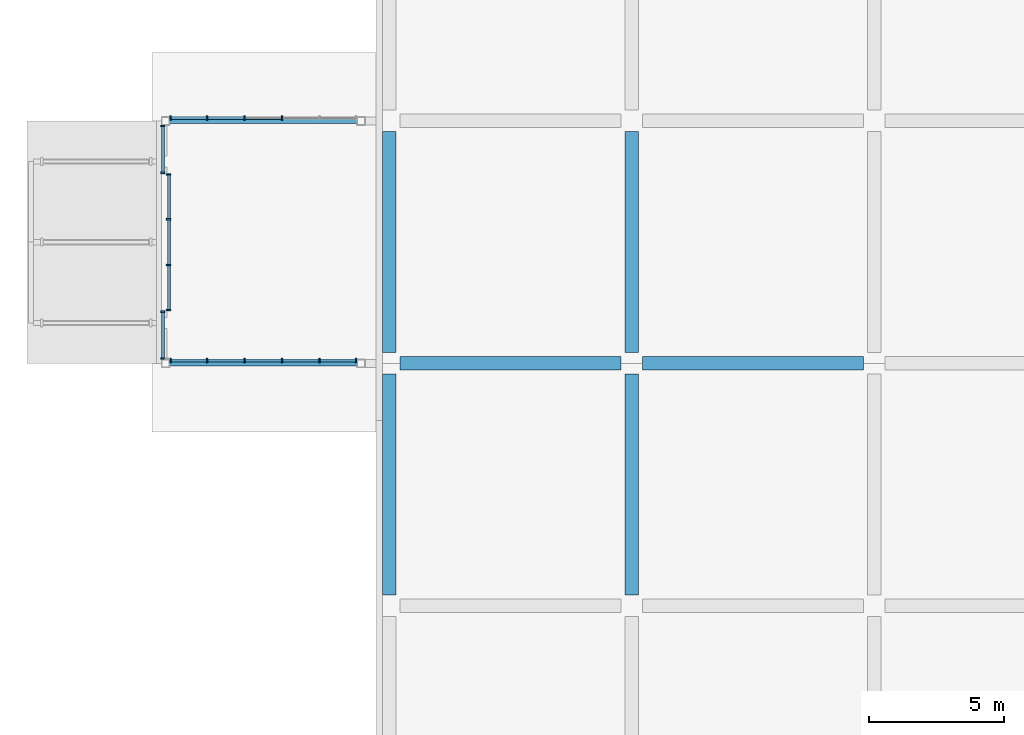
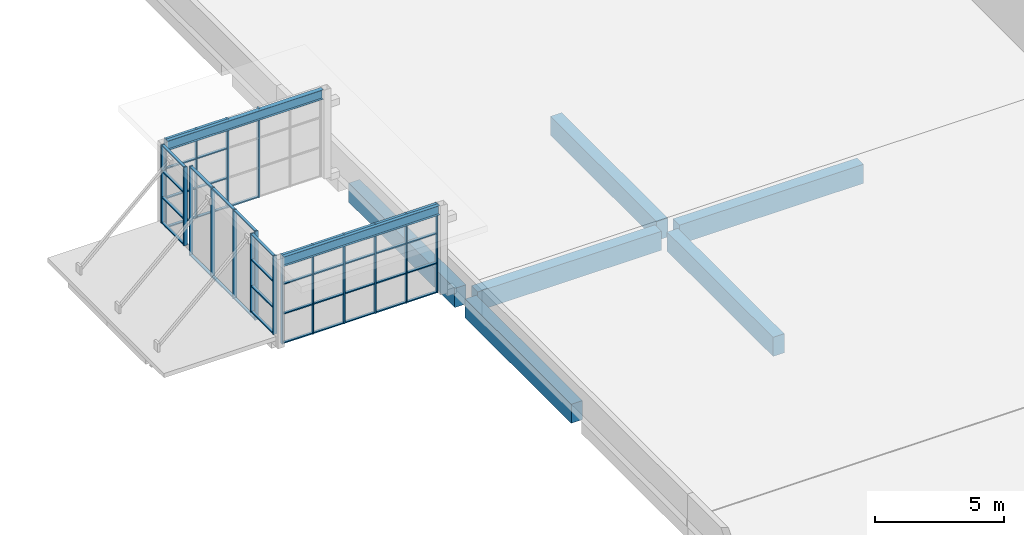
# One storey, part 29 of 182: 61 members, 8 beams, 5 elements without a shape of their own.
"""IFC4 building model written with IfcOpenShell, lengths in metres."""

from ifc_helpers import new_model, si_unit, direction, frame, origin, origin_2d, place, context, subcontext, project, spatial, rectangle, i_section, extrude, material, material_profile, profile_set, type_object, element, aggregate, save


model = new_model("IFC4")

# Units and contexts
model_context = context("Model", 3, precision=1e-05, world=origin(), true_north=direction((0.0, 1.0)))
body_context = subcontext(model_context, "Body", "Model", "MODEL_VIEW")
ifc_project = project(units=[si_unit("LENGTHUNIT", "METRE"), si_unit("AREAUNIT", "SQUARE_METRE"), si_unit("VOLUMEUNIT", "CUBIC_METRE"), si_unit("PLANEANGLEUNIT", "RADIAN"), si_unit("MASSUNIT", "GRAM", prefix="KILO")], contexts=[model_context])

# Site, building, storey
site_placement = place(None, origin())
site = spatial("IfcSite", under=ifc_project, at=site_placement, CompositionType="ELEMENT")
building_placement = place(site_placement, origin())
building = spatial("IfcBuilding", under=site, at=building_placement, Name="Silverbay Arena", CompositionType="ELEMENT")
storey_placement = place(building_placement, frame((0.0, 0.0, 11.5)))
storey = spatial("IfcBuildingStorey", under=building, at=storey_placement, Name="L02", CompositionType="ELEMENT", Elevation=11.5)

# Beams
ifc_material_1 = material(Name="Steel S355", Category="steel")
ifc_material_profile_1 = material_profile(ifc_material_1, i_section(OverallWidth=0.18994140625, OverallDepth=0.453369140625, WebThickness=0.008544921875, FlangeThickness=0.0126953125, at=origin_2d()), Name="UB 457x191x67")
ifc_profile_set_1 = profile_set([ifc_material_profile_1], Name="Steel S355")
beam_type_1 = type_object("IfcBeamType", Name="Hall beam UB 457x191x67", PredefinedType="BEAM", material=ifc_profile_set_1)
for number, where, z_axis, x_axis, name in (
    (1, (25.800048828125, 99.0, 3.973388671875), (-1.0, 0.0, 0.0), (0.0, -1.0, 0.0), "West entrance hall W1 transverse beam 1R"),
    (2, (25.800048828125, 108.0, 3.973388671875), (-1.0, 0.0, 0.0), (0.0, -1.0, 0.0), "West entrance hall W1 transverse beam 2R"),
):
    element("IfcBeam", number, at=place(storey_placement, frame(where, z_axis=z_axis, x_axis=x_axis)), inside=storey, type_object=beam_type_1, Name=name, PredefinedType="BEAM", context=body_context, shape_type="SweptSolid", body=[
        extrude(i_section(OverallWidth=0.18994140625, OverallDepth=0.453369140625, WebThickness=0.008544921875, FlangeThickness=0.0126953125, at=origin_2d()), origin(), (0.0, 0.0, 1.0), 6.949951171875),
    ])

# Curtain wall, members
ifc_material_2 = material(Name="Aluminium framed curtain wall", Category="aluminium")
curtain_wall_type_1 = type_object("IfcCurtainWallType", Name="Curtain wall 1800 x 3700", PredefinedType="NOTDEFINED", material=ifc_material_2)
curtain_wall_1_placement = place(storey_placement, origin())
curtain_wall_1 = element("IfcCurtainWall", 3, at=curtain_wall_1_placement, inside=storey, type_object=curtain_wall_type_1, Name="West entrance hall W1 glazing F0a", PredefinedType="NOTDEFINED")
ifc_material_3 = material(Name="Aluminium", Category="aluminium")
ifc_material_profile_2 = material_profile(ifc_material_3, rectangle(XDim=0.159912109375, YDim=0.06005859375, at=origin_2d()), Name="Mullion 60 x 160")
ifc_profile_set_2 = profile_set([ifc_material_profile_2], Name="Aluminium")
member_type_1 = type_object("IfcMemberType", Name="Mullion 60 x 160", PredefinedType="MULLION", material=ifc_profile_set_2)
member_1_placement = place(storey_placement, frame((18.590087890625, 99.179931640625, 0.5), z_axis=(0.0, 0.0, 1.0), x_axis=(-1.0, 0.0, 0.0)))
member_1 = element("IfcMember", 4, at=member_1_placement, type_object=member_type_1, Name="CW50 mullion 1", PredefinedType="MULLION", context=body_context, shape_type="SweptSolid", body=[
    extrude(rectangle(XDim=0.159912109375, YDim=0.06005859375, at=origin_2d()), origin(), (0.0, 0.0, 1.0), 3.699951171875),
])
member_2_placement = place(storey_placement, frame((18.590087890625, 100.919921875, 0.5), z_axis=(0.0, 0.0, 1.0), x_axis=(-1.0, 0.0, 0.0)))
member_2 = element("IfcMember", 5, at=member_2_placement, type_object=member_type_1, Name="CW50 mullion 2", PredefinedType="MULLION", context=body_context, shape_type="SweptSolid", body=[
    extrude(rectangle(XDim=0.159912109375, YDim=0.06005859375, at=origin_2d()), origin(), (0.0, 0.0, 1.0), 3.699951171875),
])

curtain_wall_2_placement = place(storey_placement, origin())
curtain_wall_2 = element("IfcCurtainWall", 6, at=curtain_wall_2_placement, inside=storey, type_object=curtain_wall_type_1, Name="West entrance hall W1 glazing F0b", PredefinedType="NOTDEFINED")
member_3_placement = place(storey_placement, frame((18.590087890625, 106.080078125, 0.5), z_axis=(0.0, 0.0, 1.0), x_axis=(-1.0, 0.0, 0.0)))
member_3 = element("IfcMember", 7, at=member_3_placement, type_object=member_type_1, Name="CW50 mullion 1", PredefinedType="MULLION", context=body_context, shape_type="SweptSolid", body=[
    extrude(rectangle(XDim=0.159912109375, YDim=0.06005859375, at=origin_2d()), origin(), (0.0, 0.0, 1.0), 3.699951171875),
])
member_4_placement = place(storey_placement, frame((18.590087890625, 107.820068359375, 0.5), z_axis=(0.0, 0.0, 1.0), x_axis=(-1.0, 0.0, 0.0)))
member_4 = element("IfcMember", 8, at=member_4_placement, type_object=member_type_1, Name="CW50 mullion 2", PredefinedType="MULLION", context=body_context, shape_type="SweptSolid", body=[
    extrude(rectangle(XDim=0.159912109375, YDim=0.06005859375, at=origin_2d()), origin(), (0.0, 0.0, 1.0), 3.699951171875),
])

ifc_material_4 = material(Name="Aluminium framed curtain wall", Category="aluminium")
curtain_wall_type_2 = type_object("IfcCurtainWallType", Name="Curtain wall 6950 x 4200", PredefinedType="NOTDEFINED", material=ifc_material_4)
curtain_wall_3_placement = place(storey_placement, origin())
curtain_wall_3 = element("IfcCurtainWall", 9, at=curtain_wall_3_placement, inside=storey, type_object=curtain_wall_type_2, Name="West entrance hall W1 glazing SA", PredefinedType="NOTDEFINED")
member_5_placement = place(storey_placement, frame((18.8798828125, 99.110107421875, 0.0), z_axis=(0.0, 0.0, 1.0), x_axis=(0.0, 1.0, 0.0)))
member_5 = element("IfcMember", 10, at=member_5_placement, type_object=member_type_1, Name="CW52 mullion 1", PredefinedType="MULLION", context=body_context, shape_type="SweptSolid", body=[
    extrude(rectangle(XDim=0.159912109375, YDim=0.06005859375, at=origin_2d()), origin(), (0.0, 0.0, 1.0), 4.199951171875),
])
member_6_placement = place(storey_placement, frame((20.239990234375, 99.110107421875, 0.0), z_axis=(0.0, 0.0, 1.0), x_axis=(0.0, 1.0, 0.0)))
member_6 = element("IfcMember", 11, at=member_6_placement, type_object=member_type_1, Name="CW52 mullion 2", PredefinedType="MULLION", context=body_context, shape_type="SweptSolid", body=[
    extrude(rectangle(XDim=0.159912109375, YDim=0.06005859375, at=origin_2d()), origin(), (0.0, 0.0, 1.0), 4.199951171875),
])
member_7_placement = place(storey_placement, frame((21.6298828125, 99.110107421875, 0.0), z_axis=(0.0, 0.0, 1.0), x_axis=(0.0, 1.0, 0.0)))
member_7 = element("IfcMember", 12, at=member_7_placement, type_object=member_type_1, Name="CW52 mullion 3", PredefinedType="MULLION", context=body_context, shape_type="SweptSolid", body=[
    extrude(rectangle(XDim=0.159912109375, YDim=0.06005859375, at=origin_2d()), origin(), (0.0, 0.0, 1.0), 4.199951171875),
])
member_8_placement = place(storey_placement, frame((23.02001953125, 99.110107421875, 0.0), z_axis=(0.0, 0.0, 1.0), x_axis=(0.0, 1.0, 0.0)))
member_8 = element("IfcMember", 13, at=member_8_placement, type_object=member_type_1, Name="CW52 mullion 4", PredefinedType="MULLION", context=body_context, shape_type="SweptSolid", body=[
    extrude(rectangle(XDim=0.159912109375, YDim=0.06005859375, at=origin_2d()), origin(), (0.0, 0.0, 1.0), 4.199951171875),
])
member_9_placement = place(storey_placement, frame((24.409912109375, 99.110107421875, 0.0), z_axis=(0.0, 0.0, 1.0), x_axis=(0.0, 1.0, 0.0)))
member_9 = element("IfcMember", 14, at=member_9_placement, type_object=member_type_1, Name="CW52 mullion 5", PredefinedType="MULLION", context=body_context, shape_type="SweptSolid", body=[
    extrude(rectangle(XDim=0.159912109375, YDim=0.06005859375, at=origin_2d()), origin(), (0.0, 0.0, 1.0), 4.199951171875),
])
member_10_placement = place(storey_placement, frame((25.77001953125, 99.110107421875, 0.0), z_axis=(0.0, 0.0, 1.0), x_axis=(0.0, 1.0, 0.0)))
member_10 = element("IfcMember", 15, at=member_10_placement, type_object=member_type_1, Name="CW52 mullion 6", PredefinedType="MULLION", context=body_context, shape_type="SweptSolid", body=[
    extrude(rectangle(XDim=0.159912109375, YDim=0.06005859375, at=origin_2d()), origin(), (0.0, 0.0, 1.0), 4.199951171875),
])

curtain_wall_4_placement = place(storey_placement, origin())
curtain_wall_4 = element("IfcCurtainWall", 16, at=curtain_wall_4_placement, inside=storey, type_object=curtain_wall_type_2, Name="West entrance hall W1 glazing SB", PredefinedType="NOTDEFINED")
member_11_placement = place(storey_placement, frame((18.8798828125, 108.110107421875, 0.0), z_axis=(0.0, 0.0, 1.0), x_axis=(0.0, 1.0, 0.0)))
member_11 = element("IfcMember", 17, at=member_11_placement, type_object=member_type_1, Name="CW52 mullion 1", PredefinedType="MULLION", context=body_context, shape_type="SweptSolid", body=[
    extrude(rectangle(XDim=0.159912109375, YDim=0.06005859375, at=origin_2d()), origin(), (0.0, 0.0, 1.0), 4.199951171875),
])
member_12_placement = place(storey_placement, frame((20.239990234375, 108.110107421875, 0.0), z_axis=(0.0, 0.0, 1.0), x_axis=(0.0, 1.0, 0.0)))
member_12 = element("IfcMember", 18, at=member_12_placement, type_object=member_type_1, Name="CW52 mullion 2", PredefinedType="MULLION", context=body_context, shape_type="SweptSolid", body=[
    extrude(rectangle(XDim=0.159912109375, YDim=0.06005859375, at=origin_2d()), origin(), (0.0, 0.0, 1.0), 4.199951171875),
])
member_13_placement = place(storey_placement, frame((21.6298828125, 108.110107421875, 0.0), z_axis=(0.0, 0.0, 1.0), x_axis=(0.0, 1.0, 0.0)))
member_13 = element("IfcMember", 19, at=member_13_placement, type_object=member_type_1, Name="CW52 mullion 3", PredefinedType="MULLION", context=body_context, shape_type="SweptSolid", body=[
    extrude(rectangle(XDim=0.159912109375, YDim=0.06005859375, at=origin_2d()), origin(), (0.0, 0.0, 1.0), 4.199951171875),
])
member_14_placement = place(storey_placement, frame((23.02001953125, 108.110107421875, 0.0), z_axis=(0.0, 0.0, 1.0), x_axis=(0.0, 1.0, 0.0)))
member_14 = element("IfcMember", 20, at=member_14_placement, type_object=member_type_1, Name="CW52 mullion 4", PredefinedType="MULLION", context=body_context, shape_type="SweptSolid", body=[
    extrude(rectangle(XDim=0.159912109375, YDim=0.06005859375, at=origin_2d()), origin(), (0.0, 0.0, 1.0), 4.199951171875),
])

ifc_material_5 = material(Name="Aluminium framed curtain wall", Category="aluminium")
curtain_wall_type_3 = type_object("IfcCurtainWallType", Name="Curtain wall 5100 x 4200", PredefinedType="NOTDEFINED", material=ifc_material_5)
curtain_wall_5_placement = place(storey_placement, origin())
curtain_wall_5 = element("IfcCurtainWall", 21, at=curtain_wall_5_placement, inside=storey, type_object=curtain_wall_type_3, Name="West entrance hall W1 glazing over the door", PredefinedType="NOTDEFINED")
member_15_placement = place(storey_placement, frame((18.81005859375, 106.02001953125, 0.0), z_axis=(0.0, 0.0, 1.0), x_axis=(1.0, 0.0, 0.0)))
member_15 = element("IfcMember", 22, at=member_15_placement, type_object=member_type_1, Name="CW53 mullion 1", PredefinedType="MULLION", context=body_context, shape_type="SweptSolid", body=[
    extrude(rectangle(XDim=0.159912109375, YDim=0.06005859375, at=origin_2d()), origin(), (0.0, 0.0, 1.0), 4.199951171875),
])
member_16_placement = place(storey_placement, frame((18.81005859375, 104.35009765625, 0.0), z_axis=(0.0, 0.0, 1.0), x_axis=(1.0, 0.0, 0.0)))
member_16 = element("IfcMember", 23, at=member_16_placement, type_object=member_type_1, Name="CW53 mullion 2", PredefinedType="MULLION", context=body_context, shape_type="SweptSolid", body=[
    extrude(rectangle(XDim=0.159912109375, YDim=0.06005859375, at=origin_2d()), origin(), (0.0, 0.0, 1.0), 4.199951171875),
])
member_17_placement = place(storey_placement, frame((18.81005859375, 102.64990234375, 0.0), z_axis=(0.0, 0.0, 1.0), x_axis=(1.0, 0.0, 0.0)))
member_17 = element("IfcMember", 24, at=member_17_placement, type_object=member_type_1, Name="CW53 mullion 3", PredefinedType="MULLION", context=body_context, shape_type="SweptSolid", body=[
    extrude(rectangle(XDim=0.159912109375, YDim=0.06005859375, at=origin_2d()), origin(), (0.0, 0.0, 1.0), 4.199951171875),
])
member_18_placement = place(storey_placement, frame((18.81005859375, 100.97998046875, 0.0), z_axis=(0.0, 0.0, 1.0), x_axis=(1.0, 0.0, 0.0)))
member_18 = element("IfcMember", 25, at=member_18_placement, type_object=member_type_1, Name="CW53 mullion 4", PredefinedType="MULLION", context=body_context, shape_type="SweptSolid", body=[
    extrude(rectangle(XDim=0.159912109375, YDim=0.06005859375, at=origin_2d()), origin(), (0.0, 0.0, 1.0), 4.199951171875),
])

# Beams
ifc_material_6 = material(Name="Concrete Grade C45", Category="concrete")
ifc_material_profile_3 = material_profile(ifc_material_6, rectangle(XDim=0.5, YDim=0.89990234375, at=origin_2d()), Name="RC 500x900")
ifc_profile_set_3 = profile_set([ifc_material_profile_3], Name="Concrete Grade C45")
beam_type_2 = type_object("IfcBeamType", Name="RC beam 500x900", PredefinedType="BEAM", material=ifc_profile_set_3)
for number, where, z_axis, x_axis, name in (
    (26, (27.39990234375, 99.0, -0.800048828125), (1.0, 0.0, 0.0), (0.0, 1.0, 0.0), "Floor beam L02 110"),
    (27, (36.39990234375, 99.0, -0.800048828125), (1.0, 0.0, 0.0), (0.0, 1.0, 0.0), "Floor beam L02 111"),
    (28, (27.0, 90.39990234375, -0.800048828125), (0.0, 1.0, 0.0), (-1.0, 0.0, 0.0), "Floor beam L02 187"),
    (29, (27.0, 99.39990234375, -0.800048828125), (0.0, 1.0, 0.0), (-1.0, 0.0, 0.0), "Floor beam L02 188"),
    (30, (36.0, 90.39990234375, -0.800048828125), (0.0, 1.0, 0.0), (-1.0, 0.0, 0.0), "Floor beam L02 197"),
    (31, (36.0, 99.39990234375, -0.800048828125), (0.0, 1.0, 0.0), (-1.0, 0.0, 0.0), "Floor beam L02 198"),
):
    element("IfcBeam", number, at=place(storey_placement, frame(where, z_axis=z_axis, x_axis=x_axis)), inside=storey, type_object=beam_type_2, Name=name, PredefinedType="BEAM", context=body_context, shape_type="SweptSolid", body=[
        extrude(rectangle(XDim=0.5, YDim=0.89990234375, at=origin_2d()), origin(), (0.0, 0.0, 1.0), 8.2001953125),
    ])

# Member
ifc_material_7 = material(Name="Aluminium", Category="aluminium")
ifc_material_profile_4 = material_profile(ifc_material_7, rectangle(XDim=0.1201171875, YDim=0.050048828125, at=origin_2d()), Name="Transom 50 x 120")
ifc_profile_set_4 = profile_set([ifc_material_profile_4], Name="Aluminium")
member_type_2 = type_object("IfcMemberType", Name="Transom 50 x 120", PredefinedType="USERDEFINED", material=ifc_profile_set_4)
member_19_placement = place(storey_placement, frame((18.590087890625, 99.2099609375, 0.52490234375), z_axis=(0.0, 1.0, 0.0), x_axis=(-1.0, 0.0, 0.0)))
member_19 = element("IfcMember", 32, at=member_19_placement, type_object=member_type_2, Name="CW50 transom 1.1", ObjectType="TRANSOM", PredefinedType="USERDEFINED", context=body_context, shape_type="SweptSolid", body=[
    extrude(rectangle(XDim=0.1201171875, YDim=0.050048828125, at=origin_2d()), origin(), (0.0, 0.0, 1.0), 1.679931640625),
])

member_20_placement = place(storey_placement, frame((18.590087890625, 99.2099609375, 1.7333984375), z_axis=(0.0, 1.0, 0.0), x_axis=(-1.0, 0.0, 0.0)))
member_20 = element("IfcMember", 33, at=member_20_placement, type_object=member_type_2, Name="CW50 transom 1.2", ObjectType="TRANSOM", PredefinedType="USERDEFINED", context=body_context, shape_type="SweptSolid", body=[
    extrude(rectangle(XDim=0.1201171875, YDim=0.050048828125, at=origin_2d()), origin(), (0.0, 0.0, 1.0), 1.679931640625),
])

member_21_placement = place(storey_placement, frame((18.590087890625, 99.2099609375, 2.966552734375), z_axis=(0.0, 1.0, 0.0), x_axis=(-1.0, 0.0, 0.0)))
member_21 = element("IfcMember", 34, at=member_21_placement, type_object=member_type_2, Name="CW50 transom 1.3", ObjectType="TRANSOM", PredefinedType="USERDEFINED", context=body_context, shape_type="SweptSolid", body=[
    extrude(rectangle(XDim=0.1201171875, YDim=0.050048828125, at=origin_2d()), origin(), (0.0, 0.0, 1.0), 1.679931640625),
])

member_22_placement = place(storey_placement, frame((18.590087890625, 99.2099609375, 4.175048828125), z_axis=(0.0, 1.0, 0.0), x_axis=(-1.0, 0.0, 0.0)))
member_22 = element("IfcMember", 35, at=member_22_placement, type_object=member_type_2, Name="CW50 transom 1.4", ObjectType="TRANSOM", PredefinedType="USERDEFINED", context=body_context, shape_type="SweptSolid", body=[
    extrude(rectangle(XDim=0.1201171875, YDim=0.050048828125, at=origin_2d()), origin(), (0.0, 0.0, 1.0), 1.679931640625),
])

aggregate(curtain_wall_1, [member_1, member_2, member_19, member_20, member_21, member_22])

member_23_placement = place(storey_placement, frame((18.590087890625, 106.110107421875, 0.52490234375), z_axis=(0.0, 1.0, 0.0), x_axis=(-1.0, 0.0, 0.0)))
member_23 = element("IfcMember", 36, at=member_23_placement, type_object=member_type_2, Name="CW50 transom 1.1", ObjectType="TRANSOM", PredefinedType="USERDEFINED", context=body_context, shape_type="SweptSolid", body=[
    extrude(rectangle(XDim=0.1201171875, YDim=0.050048828125, at=origin_2d()), origin(), (0.0, 0.0, 1.0), 1.679931640625),
])

member_24_placement = place(storey_placement, frame((18.590087890625, 106.110107421875, 1.7333984375), z_axis=(0.0, 1.0, 0.0), x_axis=(-1.0, 0.0, 0.0)))
member_24 = element("IfcMember", 37, at=member_24_placement, type_object=member_type_2, Name="CW50 transom 1.2", ObjectType="TRANSOM", PredefinedType="USERDEFINED", context=body_context, shape_type="SweptSolid", body=[
    extrude(rectangle(XDim=0.1201171875, YDim=0.050048828125, at=origin_2d()), origin(), (0.0, 0.0, 1.0), 1.679931640625),
])

member_25_placement = place(storey_placement, frame((18.590087890625, 106.110107421875, 2.966552734375), z_axis=(0.0, 1.0, 0.0), x_axis=(-1.0, 0.0, 0.0)))
member_25 = element("IfcMember", 38, at=member_25_placement, type_object=member_type_2, Name="CW50 transom 1.3", ObjectType="TRANSOM", PredefinedType="USERDEFINED", context=body_context, shape_type="SweptSolid", body=[
    extrude(rectangle(XDim=0.1201171875, YDim=0.050048828125, at=origin_2d()), origin(), (0.0, 0.0, 1.0), 1.679931640625),
])

member_26_placement = place(storey_placement, frame((18.590087890625, 106.110107421875, 4.175048828125), z_axis=(0.0, 1.0, 0.0), x_axis=(-1.0, 0.0, 0.0)))
member_26 = element("IfcMember", 39, at=member_26_placement, type_object=member_type_2, Name="CW50 transom 1.4", ObjectType="TRANSOM", PredefinedType="USERDEFINED", context=body_context, shape_type="SweptSolid", body=[
    extrude(rectangle(XDim=0.1201171875, YDim=0.050048828125, at=origin_2d()), origin(), (0.0, 0.0, 1.0), 1.679931640625),
])

aggregate(curtain_wall_2, [member_3, member_4, member_23, member_24, member_25, member_26])

member_27_placement = place(storey_placement, frame((18.909912109375, 99.110107421875, 0.02490234375), z_axis=(1.0, 0.0, 0.0), x_axis=(0.0, 1.0, 0.0)))
member_27 = element("IfcMember", 40, at=member_27_placement, type_object=member_type_2, Name="CW52 transom 1.1", ObjectType="TRANSOM", PredefinedType="USERDEFINED", context=body_context, shape_type="SweptSolid", body=[
    extrude(rectangle(XDim=0.1201171875, YDim=0.050048828125, at=origin_2d()), origin(), (0.0, 0.0, 1.0), 1.300048828125),
])

member_28_placement = place(storey_placement, frame((18.909912109375, 99.110107421875, 1.39990234375), z_axis=(1.0, 0.0, 0.0), x_axis=(0.0, 1.0, 0.0)))
member_28 = element("IfcMember", 41, at=member_28_placement, type_object=member_type_2, Name="CW52 transom 1.2", ObjectType="TRANSOM", PredefinedType="USERDEFINED", context=body_context, shape_type="SweptSolid", body=[
    extrude(rectangle(XDim=0.1201171875, YDim=0.050048828125, at=origin_2d()), origin(), (0.0, 0.0, 1.0), 1.300048828125),
])

member_29_placement = place(storey_placement, frame((18.909912109375, 99.110107421875, 2.800048828125), z_axis=(1.0, 0.0, 0.0), x_axis=(0.0, 1.0, 0.0)))
member_29 = element("IfcMember", 42, at=member_29_placement, type_object=member_type_2, Name="CW52 transom 1.3", ObjectType="TRANSOM", PredefinedType="USERDEFINED", context=body_context, shape_type="SweptSolid", body=[
    extrude(rectangle(XDim=0.1201171875, YDim=0.050048828125, at=origin_2d()), origin(), (0.0, 0.0, 1.0), 1.300048828125),
])

member_30_placement = place(storey_placement, frame((18.909912109375, 99.110107421875, 4.175048828125), z_axis=(1.0, 0.0, 0.0), x_axis=(0.0, 1.0, 0.0)))
member_30 = element("IfcMember", 43, at=member_30_placement, type_object=member_type_2, Name="CW52 transom 1.4", ObjectType="TRANSOM", PredefinedType="USERDEFINED", context=body_context, shape_type="SweptSolid", body=[
    extrude(rectangle(XDim=0.1201171875, YDim=0.050048828125, at=origin_2d()), origin(), (0.0, 0.0, 1.0), 1.300048828125),
])

member_31_placement = place(storey_placement, frame((20.27001953125, 99.110107421875, 0.02490234375), z_axis=(1.0, 0.0, 0.0), x_axis=(0.0, 1.0, 0.0)))
member_31 = element("IfcMember", 44, at=member_31_placement, type_object=member_type_2, Name="CW52 transom 2.1", ObjectType="TRANSOM", PredefinedType="USERDEFINED", context=body_context, shape_type="SweptSolid", body=[
    extrude(rectangle(XDim=0.1201171875, YDim=0.050048828125, at=origin_2d()), origin(), (0.0, 0.0, 1.0), 1.330078125),
])

member_32_placement = place(storey_placement, frame((20.27001953125, 99.110107421875, 1.39990234375), z_axis=(1.0, 0.0, 0.0), x_axis=(0.0, 1.0, 0.0)))
member_32 = element("IfcMember", 45, at=member_32_placement, type_object=member_type_2, Name="CW52 transom 2.2", ObjectType="TRANSOM", PredefinedType="USERDEFINED", context=body_context, shape_type="SweptSolid", body=[
    extrude(rectangle(XDim=0.1201171875, YDim=0.050048828125, at=origin_2d()), origin(), (0.0, 0.0, 1.0), 1.330078125),
])

member_33_placement = place(storey_placement, frame((20.27001953125, 99.110107421875, 2.800048828125), z_axis=(1.0, 0.0, 0.0), x_axis=(0.0, 1.0, 0.0)))
member_33 = element("IfcMember", 46, at=member_33_placement, type_object=member_type_2, Name="CW52 transom 2.3", ObjectType="TRANSOM", PredefinedType="USERDEFINED", context=body_context, shape_type="SweptSolid", body=[
    extrude(rectangle(XDim=0.1201171875, YDim=0.050048828125, at=origin_2d()), origin(), (0.0, 0.0, 1.0), 1.330078125),
])

member_34_placement = place(storey_placement, frame((20.27001953125, 99.110107421875, 4.175048828125), z_axis=(1.0, 0.0, 0.0), x_axis=(0.0, 1.0, 0.0)))
member_34 = element("IfcMember", 47, at=member_34_placement, type_object=member_type_2, Name="CW52 transom 2.4", ObjectType="TRANSOM", PredefinedType="USERDEFINED", context=body_context, shape_type="SweptSolid", body=[
    extrude(rectangle(XDim=0.1201171875, YDim=0.050048828125, at=origin_2d()), origin(), (0.0, 0.0, 1.0), 1.330078125),
])

member_35_placement = place(storey_placement, frame((21.659912109375, 99.110107421875, 0.02490234375), z_axis=(1.0, 0.0, 0.0), x_axis=(0.0, 1.0, 0.0)))
member_35 = element("IfcMember", 48, at=member_35_placement, type_object=member_type_2, Name="CW52 transom 3.1", ObjectType="TRANSOM", PredefinedType="USERDEFINED", context=body_context, shape_type="SweptSolid", body=[
    extrude(rectangle(XDim=0.1201171875, YDim=0.050048828125, at=origin_2d()), origin(), (0.0, 0.0, 1.0), 1.330078125),
])

member_36_placement = place(storey_placement, frame((21.659912109375, 99.110107421875, 1.39990234375), z_axis=(1.0, 0.0, 0.0), x_axis=(0.0, 1.0, 0.0)))
member_36 = element("IfcMember", 49, at=member_36_placement, type_object=member_type_2, Name="CW52 transom 3.2", ObjectType="TRANSOM", PredefinedType="USERDEFINED", context=body_context, shape_type="SweptSolid", body=[
    extrude(rectangle(XDim=0.1201171875, YDim=0.050048828125, at=origin_2d()), origin(), (0.0, 0.0, 1.0), 1.330078125),
])

member_37_placement = place(storey_placement, frame((21.659912109375, 99.110107421875, 2.800048828125), z_axis=(1.0, 0.0, 0.0), x_axis=(0.0, 1.0, 0.0)))
member_37 = element("IfcMember", 50, at=member_37_placement, type_object=member_type_2, Name="CW52 transom 3.3", ObjectType="TRANSOM", PredefinedType="USERDEFINED", context=body_context, shape_type="SweptSolid", body=[
    extrude(rectangle(XDim=0.1201171875, YDim=0.050048828125, at=origin_2d()), origin(), (0.0, 0.0, 1.0), 1.330078125),
])

member_38_placement = place(storey_placement, frame((21.659912109375, 99.110107421875, 4.175048828125), z_axis=(1.0, 0.0, 0.0), x_axis=(0.0, 1.0, 0.0)))
member_38 = element("IfcMember", 51, at=member_38_placement, type_object=member_type_2, Name="CW52 transom 3.4", ObjectType="TRANSOM", PredefinedType="USERDEFINED", context=body_context, shape_type="SweptSolid", body=[
    extrude(rectangle(XDim=0.1201171875, YDim=0.050048828125, at=origin_2d()), origin(), (0.0, 0.0, 1.0), 1.330078125),
])

member_39_placement = place(storey_placement, frame((23.050048828125, 99.110107421875, 0.02490234375), z_axis=(1.0, 0.0, 0.0), x_axis=(0.0, 1.0, 0.0)))
member_39 = element("IfcMember", 52, at=member_39_placement, type_object=member_type_2, Name="CW52 transom 4.1", ObjectType="TRANSOM", PredefinedType="USERDEFINED", context=body_context, shape_type="SweptSolid", body=[
    extrude(rectangle(XDim=0.1201171875, YDim=0.050048828125, at=origin_2d()), origin(), (0.0, 0.0, 1.0), 1.329833984375),
])

member_40_placement = place(storey_placement, frame((23.050048828125, 99.110107421875, 1.39990234375), z_axis=(1.0, 0.0, 0.0), x_axis=(0.0, 1.0, 0.0)))
member_40 = element("IfcMember", 53, at=member_40_placement, type_object=member_type_2, Name="CW52 transom 4.2", ObjectType="TRANSOM", PredefinedType="USERDEFINED", context=body_context, shape_type="SweptSolid", body=[
    extrude(rectangle(XDim=0.1201171875, YDim=0.050048828125, at=origin_2d()), origin(), (0.0, 0.0, 1.0), 1.329833984375),
])

member_41_placement = place(storey_placement, frame((23.050048828125, 99.110107421875, 2.800048828125), z_axis=(1.0, 0.0, 0.0), x_axis=(0.0, 1.0, 0.0)))
member_41 = element("IfcMember", 54, at=member_41_placement, type_object=member_type_2, Name="CW52 transom 4.3", ObjectType="TRANSOM", PredefinedType="USERDEFINED", context=body_context, shape_type="SweptSolid", body=[
    extrude(rectangle(XDim=0.1201171875, YDim=0.050048828125, at=origin_2d()), origin(), (0.0, 0.0, 1.0), 1.329833984375),
])

member_42_placement = place(storey_placement, frame((23.050048828125, 99.110107421875, 4.175048828125), z_axis=(1.0, 0.0, 0.0), x_axis=(0.0, 1.0, 0.0)))
member_42 = element("IfcMember", 55, at=member_42_placement, type_object=member_type_2, Name="CW52 transom 4.4", ObjectType="TRANSOM", PredefinedType="USERDEFINED", context=body_context, shape_type="SweptSolid", body=[
    extrude(rectangle(XDim=0.1201171875, YDim=0.050048828125, at=origin_2d()), origin(), (0.0, 0.0, 1.0), 1.329833984375),
])

member_43_placement = place(storey_placement, frame((24.43994140625, 99.110107421875, 0.02490234375), z_axis=(1.0, 0.0, 0.0), x_axis=(0.0, 1.0, 0.0)))
member_43 = element("IfcMember", 56, at=member_43_placement, type_object=member_type_2, Name="CW52 transom 5.1", ObjectType="TRANSOM", PredefinedType="USERDEFINED", context=body_context, shape_type="SweptSolid", body=[
    extrude(rectangle(XDim=0.1201171875, YDim=0.050048828125, at=origin_2d()), origin(), (0.0, 0.0, 1.0), 1.300048828125),
])

member_44_placement = place(storey_placement, frame((24.43994140625, 99.110107421875, 1.39990234375), z_axis=(1.0, 0.0, 0.0), x_axis=(0.0, 1.0, 0.0)))
member_44 = element("IfcMember", 57, at=member_44_placement, type_object=member_type_2, Name="CW52 transom 5.2", ObjectType="TRANSOM", PredefinedType="USERDEFINED", context=body_context, shape_type="SweptSolid", body=[
    extrude(rectangle(XDim=0.1201171875, YDim=0.050048828125, at=origin_2d()), origin(), (0.0, 0.0, 1.0), 1.300048828125),
])

member_45_placement = place(storey_placement, frame((24.43994140625, 99.110107421875, 2.800048828125), z_axis=(1.0, 0.0, 0.0), x_axis=(0.0, 1.0, 0.0)))
member_45 = element("IfcMember", 58, at=member_45_placement, type_object=member_type_2, Name="CW52 transom 5.3", ObjectType="TRANSOM", PredefinedType="USERDEFINED", context=body_context, shape_type="SweptSolid", body=[
    extrude(rectangle(XDim=0.1201171875, YDim=0.050048828125, at=origin_2d()), origin(), (0.0, 0.0, 1.0), 1.300048828125),
])

member_46_placement = place(storey_placement, frame((24.43994140625, 99.110107421875, 4.175048828125), z_axis=(1.0, 0.0, 0.0), x_axis=(0.0, 1.0, 0.0)))
member_46 = element("IfcMember", 59, at=member_46_placement, type_object=member_type_2, Name="CW52 transom 5.4", ObjectType="TRANSOM", PredefinedType="USERDEFINED", context=body_context, shape_type="SweptSolid", body=[
    extrude(rectangle(XDim=0.1201171875, YDim=0.050048828125, at=origin_2d()), origin(), (0.0, 0.0, 1.0), 1.300048828125),
])

aggregate(curtain_wall_3, [member_5, member_6, member_7, member_8, member_9, member_10, member_27, member_28, member_29, member_30, member_31, member_32, member_33, member_34, member_35, member_36, member_37, member_38, member_39, member_40, member_41, member_42, member_43, member_44, member_45, member_46])

member_47_placement = place(storey_placement, frame((18.909912109375, 108.110107421875, 0.02490234375), z_axis=(1.0, 0.0, 0.0), x_axis=(0.0, 1.0, 0.0)))
member_47 = element("IfcMember", 60, at=member_47_placement, type_object=member_type_2, Name="CW52 transom 1.1", ObjectType="TRANSOM", PredefinedType="USERDEFINED", context=body_context, shape_type="SweptSolid", body=[
    extrude(rectangle(XDim=0.1201171875, YDim=0.050048828125, at=origin_2d()), origin(), (0.0, 0.0, 1.0), 1.300048828125),
])

member_48_placement = place(storey_placement, frame((18.909912109375, 108.110107421875, 1.39990234375), z_axis=(1.0, 0.0, 0.0), x_axis=(0.0, 1.0, 0.0)))
member_48 = element("IfcMember", 61, at=member_48_placement, type_object=member_type_2, Name="CW52 transom 1.2", ObjectType="TRANSOM", PredefinedType="USERDEFINED", context=body_context, shape_type="SweptSolid", body=[
    extrude(rectangle(XDim=0.1201171875, YDim=0.050048828125, at=origin_2d()), origin(), (0.0, 0.0, 1.0), 1.300048828125),
])

member_49_placement = place(storey_placement, frame((18.909912109375, 108.110107421875, 2.800048828125), z_axis=(1.0, 0.0, 0.0), x_axis=(0.0, 1.0, 0.0)))
member_49 = element("IfcMember", 62, at=member_49_placement, type_object=member_type_2, Name="CW52 transom 1.3", ObjectType="TRANSOM", PredefinedType="USERDEFINED", context=body_context, shape_type="SweptSolid", body=[
    extrude(rectangle(XDim=0.1201171875, YDim=0.050048828125, at=origin_2d()), origin(), (0.0, 0.0, 1.0), 1.300048828125),
])

member_50_placement = place(storey_placement, frame((18.909912109375, 108.110107421875, 4.175048828125), z_axis=(1.0, 0.0, 0.0), x_axis=(0.0, 1.0, 0.0)))
member_50 = element("IfcMember", 63, at=member_50_placement, type_object=member_type_2, Name="CW52 transom 1.4", ObjectType="TRANSOM", PredefinedType="USERDEFINED", context=body_context, shape_type="SweptSolid", body=[
    extrude(rectangle(XDim=0.1201171875, YDim=0.050048828125, at=origin_2d()), origin(), (0.0, 0.0, 1.0), 1.300048828125),
])

member_51_placement = place(storey_placement, frame((20.27001953125, 108.110107421875, 0.02490234375), z_axis=(1.0, 0.0, 0.0), x_axis=(0.0, 1.0, 0.0)))
member_51 = element("IfcMember", 64, at=member_51_placement, type_object=member_type_2, Name="CW52 transom 2.1", ObjectType="TRANSOM", PredefinedType="USERDEFINED", context=body_context, shape_type="SweptSolid", body=[
    extrude(rectangle(XDim=0.1201171875, YDim=0.050048828125, at=origin_2d()), origin(), (0.0, 0.0, 1.0), 1.330078125),
])

member_52_placement = place(storey_placement, frame((20.27001953125, 108.110107421875, 1.39990234375), z_axis=(1.0, 0.0, 0.0), x_axis=(0.0, 1.0, 0.0)))
member_52 = element("IfcMember", 65, at=member_52_placement, type_object=member_type_2, Name="CW52 transom 2.2", ObjectType="TRANSOM", PredefinedType="USERDEFINED", context=body_context, shape_type="SweptSolid", body=[
    extrude(rectangle(XDim=0.1201171875, YDim=0.050048828125, at=origin_2d()), origin(), (0.0, 0.0, 1.0), 1.330078125),
])

member_53_placement = place(storey_placement, frame((20.27001953125, 108.110107421875, 2.800048828125), z_axis=(1.0, 0.0, 0.0), x_axis=(0.0, 1.0, 0.0)))
member_53 = element("IfcMember", 66, at=member_53_placement, type_object=member_type_2, Name="CW52 transom 2.3", ObjectType="TRANSOM", PredefinedType="USERDEFINED", context=body_context, shape_type="SweptSolid", body=[
    extrude(rectangle(XDim=0.1201171875, YDim=0.050048828125, at=origin_2d()), origin(), (0.0, 0.0, 1.0), 1.330078125),
])

member_54_placement = place(storey_placement, frame((20.27001953125, 108.110107421875, 4.175048828125), z_axis=(1.0, 0.0, 0.0), x_axis=(0.0, 1.0, 0.0)))
member_54 = element("IfcMember", 67, at=member_54_placement, type_object=member_type_2, Name="CW52 transom 2.4", ObjectType="TRANSOM", PredefinedType="USERDEFINED", context=body_context, shape_type="SweptSolid", body=[
    extrude(rectangle(XDim=0.1201171875, YDim=0.050048828125, at=origin_2d()), origin(), (0.0, 0.0, 1.0), 1.330078125),
])

member_55_placement = place(storey_placement, frame((21.659912109375, 108.110107421875, 0.02490234375), z_axis=(1.0, 0.0, 0.0), x_axis=(0.0, 1.0, 0.0)))
member_55 = element("IfcMember", 68, at=member_55_placement, type_object=member_type_2, Name="CW52 transom 3.1", ObjectType="TRANSOM", PredefinedType="USERDEFINED", context=body_context, shape_type="SweptSolid", body=[
    extrude(rectangle(XDim=0.1201171875, YDim=0.050048828125, at=origin_2d()), origin(), (0.0, 0.0, 1.0), 1.330078125),
])

aggregate(curtain_wall_4, [member_11, member_12, member_13, member_14, member_47, member_48, member_49, member_50, member_51, member_52, member_53, member_54, member_55])

member_56_placement = place(storey_placement, frame((18.81005859375, 105.989990234375, 0.02490234375), z_axis=(0.0, -1.0, 0.0), x_axis=(1.0, 0.0, 0.0)))
member_56 = element("IfcMember", 69, at=member_56_placement, type_object=member_type_2, Name="CW53 transom 1.1", ObjectType="TRANSOM", PredefinedType="USERDEFINED", context=body_context, shape_type="SweptSolid", body=[
    extrude(rectangle(XDim=0.1201171875, YDim=0.050048828125, at=origin_2d()), origin(), (0.0, 0.0, 1.0), 1.610107421875),
])

member_57_placement = place(storey_placement, frame((18.81005859375, 105.989990234375, 4.175048828125), z_axis=(0.0, -1.0, 0.0), x_axis=(1.0, 0.0, 0.0)))
member_57 = element("IfcMember", 70, at=member_57_placement, type_object=member_type_2, Name="CW53 transom 1.2", ObjectType="TRANSOM", PredefinedType="USERDEFINED", context=body_context, shape_type="SweptSolid", body=[
    extrude(rectangle(XDim=0.1201171875, YDim=0.050048828125, at=origin_2d()), origin(), (0.0, 0.0, 1.0), 1.610107421875),
])

member_58_placement = place(storey_placement, frame((18.81005859375, 104.320068359375, 0.02490234375), z_axis=(0.0, -1.0, 0.0), x_axis=(1.0, 0.0, 0.0)))
member_58 = element("IfcMember", 71, at=member_58_placement, type_object=member_type_2, Name="CW53 transom 2.1", ObjectType="TRANSOM", PredefinedType="USERDEFINED", context=body_context, shape_type="SweptSolid", body=[
    extrude(rectangle(XDim=0.1201171875, YDim=0.050048828125, at=origin_2d()), origin(), (0.0, 0.0, 1.0), 1.64013671875),
])

member_59_placement = place(storey_placement, frame((18.81005859375, 104.320068359375, 4.175048828125), z_axis=(0.0, -1.0, 0.0), x_axis=(1.0, 0.0, 0.0)))
member_59 = element("IfcMember", 72, at=member_59_placement, type_object=member_type_2, Name="CW53 transom 2.2", ObjectType="TRANSOM", PredefinedType="USERDEFINED", context=body_context, shape_type="SweptSolid", body=[
    extrude(rectangle(XDim=0.1201171875, YDim=0.050048828125, at=origin_2d()), origin(), (0.0, 0.0, 1.0), 1.64013671875),
])

member_60_placement = place(storey_placement, frame((18.81005859375, 102.6201171875, 0.02490234375), z_axis=(0.0, -1.0, 0.0), x_axis=(1.0, 0.0, 0.0)))
member_60 = element("IfcMember", 73, at=member_60_placement, type_object=member_type_2, Name="CW53 transom 3.1", ObjectType="TRANSOM", PredefinedType="USERDEFINED", context=body_context, shape_type="SweptSolid", body=[
    extrude(rectangle(XDim=0.1201171875, YDim=0.050048828125, at=origin_2d()), origin(), (0.0, 0.0, 1.0), 1.610107421875),
])

member_61_placement = place(storey_placement, frame((18.81005859375, 102.6201171875, 4.175048828125), z_axis=(0.0, -1.0, 0.0), x_axis=(1.0, 0.0, 0.0)))
member_61 = element("IfcMember", 74, at=member_61_placement, type_object=member_type_2, Name="CW53 transom 3.2", ObjectType="TRANSOM", PredefinedType="USERDEFINED", context=body_context, shape_type="SweptSolid", body=[
    extrude(rectangle(XDim=0.1201171875, YDim=0.050048828125, at=origin_2d()), origin(), (0.0, 0.0, 1.0), 1.610107421875),
])

aggregate(curtain_wall_5, [member_15, member_16, member_17, member_18, member_56, member_57, member_58, member_59, member_60, member_61])

save(model, "model.ifc")
